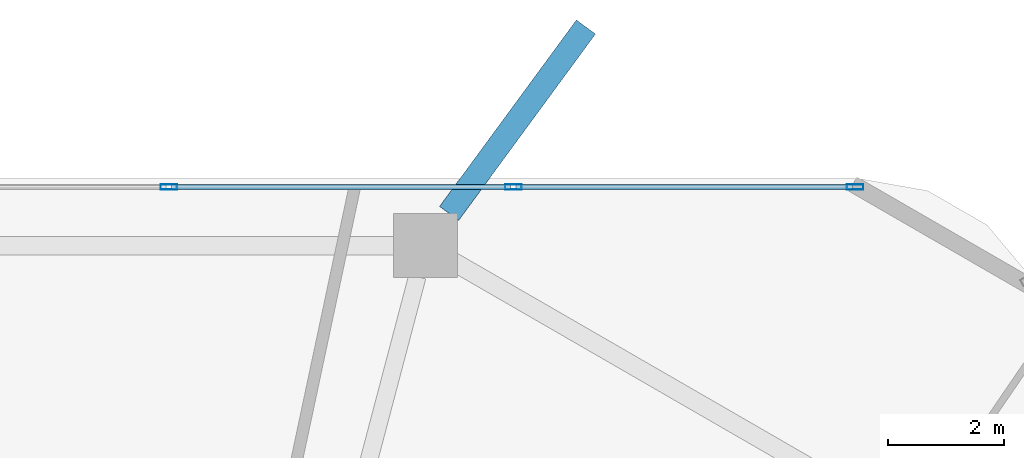
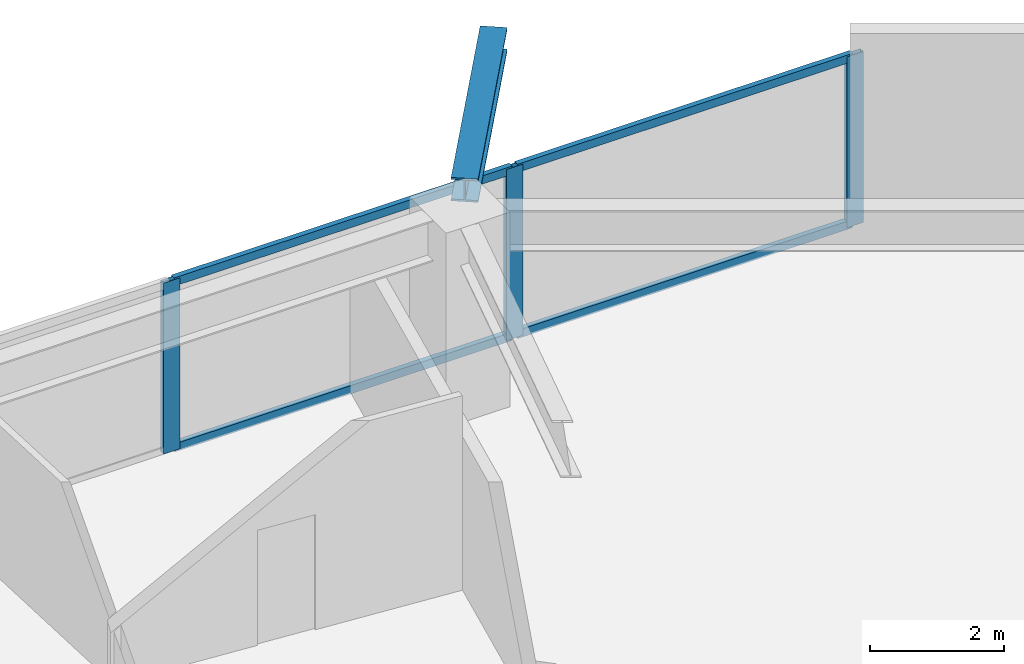
# One storey, part 19 of 32: 7 members, 1 beam, 1 element without a shape of its own.
"""IFC4 building model written with IfcOpenShell, lengths in metres."""

from ifc_helpers import new_model, si_unit, direction, frame, origin, origin_2d, place, context, subcontext, project, spatial, hollow_rectangle, i_section, extrude, material, material_profile, profile_set, type_object, element, aggregate, save


model = new_model("IFC4")

# Units and contexts
model_context = context("Model", 3, precision=1e-05, world=origin(), true_north=direction((0.0, 1.0)))
body_context = subcontext(model_context, "Body", "Model", "MODEL_VIEW")
ifc_project = project(units=[si_unit("LENGTHUNIT", "METRE"), si_unit("AREAUNIT", "SQUARE_METRE"), si_unit("VOLUMEUNIT", "CUBIC_METRE"), si_unit("PLANEANGLEUNIT", "RADIAN"), si_unit("MASSUNIT", "GRAM", prefix="KILO")], contexts=[model_context])

# Site, building, storey
site_placement = place(None, origin())
site = spatial("IfcSite", under=ifc_project, at=site_placement, CompositionType="ELEMENT")
building_placement = place(site_placement, origin())
building = spatial("IfcBuilding", under=site, at=building_placement, Name="Zuhravey Tower", CompositionType="ELEMENT")
storey_placement = place(building_placement, frame((0.0, 0.0, 119.0)))
storey = spatial("IfcBuildingStorey", under=building, at=storey_placement, Name="L29", CompositionType="ELEMENT", Elevation=119.0)

# Curtain wall, members
ifc_material_1 = material(Name="Thermally broken anodised aluminium", Category="aluminium")
curtain_wall_type = type_object("IfcCurtainWallType", Name="Zone 1-2 Residential Curtain Wall CW3", PredefinedType="NOTDEFINED", material=ifc_material_1)
curtain_wall_placement = place(storey_placement, origin())
curtain_wall = element("IfcCurtainWall", 1, at=curtain_wall_placement, inside=storey, type_object=curtain_wall_type, Name="L29 CW3 CW-L29-F2-1", PredefinedType="NOTDEFINED")
ifc_material_2 = material(Name="Anodised aluminium", Category="aluminium")
ifc_material_profile_1 = material_profile(ifc_material_2, hollow_rectangle(XDim=0.090087890625, YDim=0.284912109375, WallThickness=0.0048828125, at=origin_2d()), Name="ALU-RHS-90x285x5")
ifc_profile_set_1 = profile_set([ifc_material_profile_1], Name="Anodised aluminium")
member_type_1 = type_object("IfcMemberType", Name="Curtain-Wall Mullion 90x180", PredefinedType="MULLION", material=ifc_profile_set_1)
member_1_placement = place(storey_placement, frame((38.9599609375, 60.95849609375, 0.0), z_axis=(0.0, 0.0, 1.0), x_axis=(0.0, 1.0, 0.0)))
member_1 = element("IfcMember", 2, at=member_1_placement, type_object=member_type_1, Name="CW3 mullion 4", PredefinedType="MULLION", context=body_context, shape_type="SweptSolid", body=[
    extrude(hollow_rectangle(XDim=0.090087890625, YDim=0.284912109375, WallThickness=0.0048828125, at=origin_2d()), origin(), (0.0, 0.0, 1.0), 3.1220703125),
])
member_2_placement = place(storey_placement, frame((44.879638671875, 60.95849609375, 0.0), z_axis=(0.0, 0.0, 1.0), x_axis=(0.0, 1.0, 0.0)))
member_2 = element("IfcMember", 3, at=member_2_placement, type_object=member_type_1, Name="CW3 mullion 5", PredefinedType="MULLION", context=body_context, shape_type="SweptSolid", body=[
    extrude(hollow_rectangle(XDim=0.090087890625, YDim=0.284912109375, WallThickness=0.0048828125, at=origin_2d()), origin(), (0.0, 0.0, 1.0), 3.1220703125),
])
member_3_placement = place(storey_placement, frame((50.75439453125, 60.95849609375, 0.0), z_axis=(0.0, 0.0, 1.0), x_axis=(0.0, 1.0, 0.0)))
member_3 = element("IfcMember", 4, at=member_3_placement, type_object=member_type_1, Name="CW3 mullion 6", PredefinedType="MULLION", context=body_context, shape_type="SweptSolid", body=[
    extrude(hollow_rectangle(XDim=0.090087890625, YDim=0.284912109375, WallThickness=0.0048828125, at=origin_2d()), origin(), (0.0, 0.0, 1.0), 3.1220703125),
])
ifc_material_profile_2 = material_profile(ifc_material_2, hollow_rectangle(XDim=0.090087890625, YDim=0.14990234375, WallThickness=0.0048828125, at=origin_2d()), Name="ALU-RHS-90x150x5")
ifc_profile_set_2 = profile_set([ifc_material_profile_2], Name="Anodised aluminium")
member_type_2 = type_object("IfcMemberType", Name="Curtain-Wall Transom 90x150", PredefinedType="USERDEFINED", material=ifc_profile_set_2)
member_4_placement = place(storey_placement, frame((39.0048828125, 60.95849609375, 0.044921875), z_axis=(1.0, 0.0, 0.0), x_axis=(0.0, 1.0, 0.0)))
member_4 = element("IfcMember", 5, at=member_4_placement, type_object=member_type_2, Name="CW3 transom 4.1", ObjectType="TRANSOM", PredefinedType="USERDEFINED", context=body_context, shape_type="SweptSolid", body=[
    extrude(hollow_rectangle(XDim=0.090087890625, YDim=0.14990234375, WallThickness=0.0048828125, at=origin_2d()), origin(), (0.0, 0.0, 1.0), 5.829833984375),
])
member_5_placement = place(storey_placement, frame((39.0048828125, 60.95849609375, 3.076904296875), z_axis=(1.0, 0.0, 0.0), x_axis=(0.0, 1.0, 0.0)))
member_5 = element("IfcMember", 6, at=member_5_placement, type_object=member_type_2, Name="CW3 transom 4.2", ObjectType="TRANSOM", PredefinedType="USERDEFINED", context=body_context, shape_type="SweptSolid", body=[
    extrude(hollow_rectangle(XDim=0.090087890625, YDim=0.14990234375, WallThickness=0.0048828125, at=origin_2d()), origin(), (0.0, 0.0, 1.0), 5.829833984375),
])
member_6_placement = place(storey_placement, frame((44.9248046875, 60.95849609375, 0.044921875), z_axis=(1.0, 0.0, 0.0), x_axis=(0.0, 1.0, 0.0)))
member_6 = element("IfcMember", 7, at=member_6_placement, type_object=member_type_2, Name="CW3 transom 5.1", ObjectType="TRANSOM", PredefinedType="USERDEFINED", context=body_context, shape_type="SweptSolid", body=[
    extrude(hollow_rectangle(XDim=0.090087890625, YDim=0.14990234375, WallThickness=0.0048828125, at=origin_2d()), origin(), (0.0, 0.0, 1.0), 5.78466796875),
])
member_7_placement = place(storey_placement, frame((44.9248046875, 60.95849609375, 3.076904296875), z_axis=(1.0, 0.0, 0.0), x_axis=(0.0, 1.0, 0.0)))
member_7 = element("IfcMember", 8, at=member_7_placement, type_object=member_type_2, Name="CW3 transom 5.2", ObjectType="TRANSOM", PredefinedType="USERDEFINED", context=body_context, shape_type="SweptSolid", body=[
    extrude(hollow_rectangle(XDim=0.090087890625, YDim=0.14990234375, WallThickness=0.0048828125, at=origin_2d()), origin(), (0.0, 0.0, 1.0), 5.78466796875),
])
aggregate(curtain_wall, [member_1, member_2, member_3, member_4, member_5, member_6, member_7])

# Beam
ifc_material_3 = material(Name="Steel SM460", Category="steel")
ifc_material_profile_3 = material_profile(ifc_material_3, i_section(OverallWidth=0.406982421875, OverallDepth=0.427978515625, WebThickness=0.02001953125, FlangeThickness=0.034912109375, at=origin_2d()), Name="H-428x407x20x35")
ifc_profile_set_3 = profile_set([ifc_material_profile_3], Name="Steel SM460")
beam_type = type_object("IfcBeamType", Name="Exoskeleton Node Tie Beam H428x407", PredefinedType="BEAM", material=ifc_profile_set_3)
beam_placement = place(storey_placement, frame((43.776123046875, 60.501708984375, 3.3359375), z_axis=(0.591653859, 0.806192105599, 0.0), x_axis=(-0.806192105599, 0.591653859, 0.0)))
element("IfcBeam", 9, at=beam_placement, inside=storey, type_object=beam_type, Name="L29 Exoskeleton Node Tie NT1-03", PredefinedType="BEAM", context=body_context, shape_type="SweptSolid", body=[
    extrude(i_section(OverallWidth=0.406982421875, OverallDepth=0.427978515625, WebThickness=0.02001953125, FlangeThickness=0.034912109375, at=origin_2d()), origin(), (0.0, 0.0, 1.0), 3.974853515625),
])

save(model, "model.ifc")
